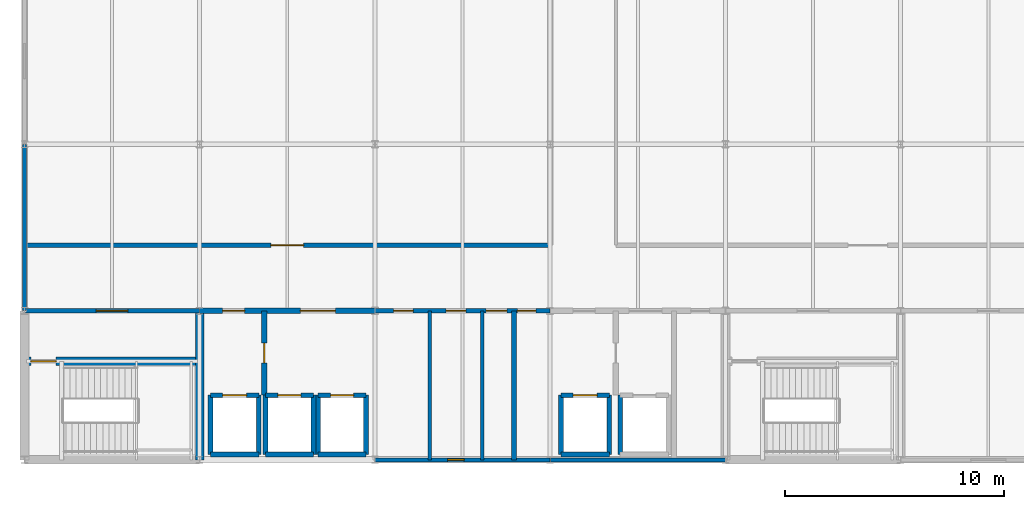
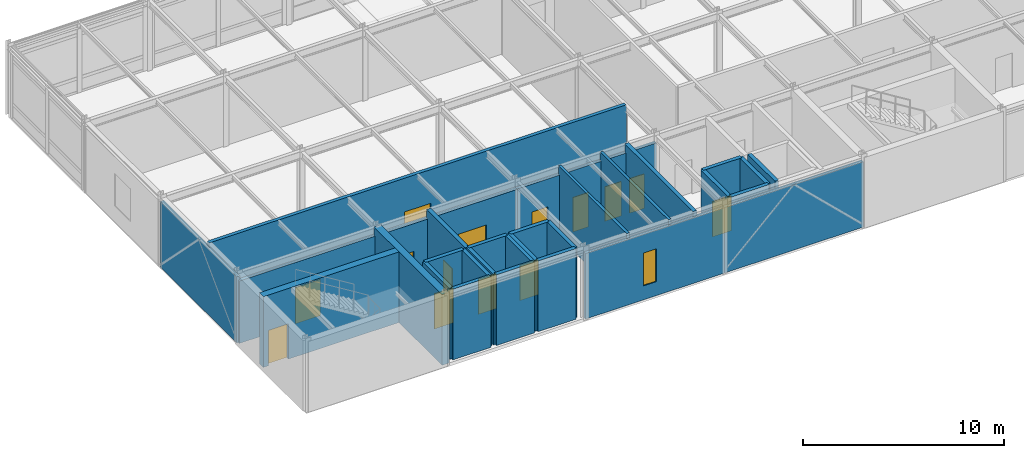
# One storey, part 9 of 12: 30 walls, 14 doors, 1 window, 15 openings.
"""IFC4 building model written with IfcOpenShell, lengths in metres."""

from ifc_helpers import new_model, si_unit, direction, frame, frame_2d, origin, place, context, subcontext, project, spatial, rectangle, extrude, material, layer, layer_set, type_object, element, fill, save


model = new_model("IFC4")

# Units and contexts
model_context = context("Model", 3, precision=1e-05, world=origin(), true_north=direction((0.0, 1.0)))
body_context = subcontext(model_context, "Body", "Model", "MODEL_VIEW")
ifc_project = project(units=[si_unit("LENGTHUNIT", "METRE"), si_unit("AREAUNIT", "SQUARE_METRE"), si_unit("VOLUMEUNIT", "CUBIC_METRE"), si_unit("PLANEANGLEUNIT", "RADIAN"), si_unit("MASSUNIT", "GRAM", prefix="KILO")], contexts=[model_context])

# Site, building, storey
site_placement = place(None, origin())
site = spatial("IfcSite", under=ifc_project, at=site_placement, CompositionType="ELEMENT")
building_placement = place(site_placement, origin())
building = spatial("IfcBuilding", under=site, at=building_placement, Name="Shalkamar Park Central Library", CompositionType="ELEMENT")
storey_placement = place(building_placement, frame((0.0, 0.0, 67.800048828125)))
storey = spatial("IfcBuildingStorey", under=building, at=storey_placement, Name="L17", CompositionType="ELEMENT", Elevation=67.800048828125)

# Wall, opening, door
ifc_material_1 = material(Name="Reinforced fire-compartment masonry wall", Category="masonry")
ifc_layer_1 = layer(ifc_material_1, 0.239990234375)
ifc_layer_set_1 = layer_set([ifc_layer_1], Name="CompartmentWall_240")
wall_type_1 = type_object("IfcWallType", Name="Compartment Wall 240", PredefinedType="PARTITIONING", material=ifc_layer_set_1)
wall_1_placement = place(storey_placement, frame((175.949951171875, 251.35009765625, 0.0), z_axis=(0.0, 0.0, 1.0), x_axis=(0.0, 1.0, 0.0)))
wall_1 = element("IfcWall", 1, at=wall_1_placement, inside=storey, type_object=wall_type_1, Name="Interior Partition WL-INT-L17-001", PredefinedType="PARTITIONING", context=body_context, shape_type="SweptSolid", body=[
    extrude(rectangle(XDim=3.849853515625, YDim=0.239990234375, at=frame_2d((1.9248046875, 0.0))), origin(), (0.0, 0.0, 1.0), 4.300048828125),
])
opening_1_placement = place(wall_1_placement, frame((1.47509765625, 0.0, 0.0)))
opening_1 = element("IfcOpeningElement", 2, at=opening_1_placement, cuts=wall_1, Name="Opening DR-L17-001", PredefinedType="OPENING", context=body_context, shape_type="SweptSolid", body=[
    extrude(rectangle(XDim=0.89990234375, YDim=2.10009765625, at=frame_2d((0.449951171875, 1.050048828125))), frame((0.0, 0.134765625, 0.0), z_axis=(0.0, -1.0, 0.0), x_axis=(1.0, 0.0, 0.0)), (0.0, 0.0, 1.0), 0.269775390625),
])
ifc_material_2 = material(Name="Steel S355", Category="steel")
door_type_1 = type_object("IfcDoorType", Name="Fire Door Single 900x2100", OperationType="NOTDEFINED", PredefinedType="DOOR", material=ifc_material_2)
door_1_placement = place(opening_1_placement, frame((0.89990234375, 0.0, 0.0), z_axis=(0.0, 0.0, 1.0), x_axis=(-1.0, 0.0, 0.0)))
door_1 = element("IfcDoor", 3, at=door_1_placement, inside=storey, type_object=door_type_1, Name="Fire Lobby Interconnect Door", OperationType="SINGLE_SWING_LEFT", OverallHeight=2.10009765625, OverallWidth=0.89990234375, PredefinedType="DOOR", context=body_context, shape_type="SweptSolid", body=[
    extrude(rectangle(XDim=0.89990234375, YDim=2.10009765625, at=frame_2d((0.449951171875, 1.050048828125))), frame((0.0, 0.02490234375, 0.0), z_axis=(0.0, -1.0, 0.0), x_axis=(1.0, 0.0, 0.0)), (0.0, 0.0, 1.0), 0.050048828125),
])
fill(opening_1, door_1)

# Wall, openings, doors
wall_2_placement = place(storey_placement, frame((173.0, 255.199951171875, 0.0), z_axis=(0.0, 0.0, 1.0), x_axis=(1.0, 0.0, 0.0)))
wall_2 = element("IfcWall", 4, at=wall_2_placement, inside=storey, type_object=wall_type_1, Name="Interior Partition WL-INT-L17-007", PredefinedType="PARTITIONING", context=body_context, shape_type="SweptSolid", body=[
    extrude(rectangle(XDim=8.0, YDim=0.239990234375, at=frame_2d((4.0, 0.0))), origin(), (0.0, 0.0, 1.0), 3.7978515625),
])
opening_2_placement = place(wall_2_placement, frame((1.050048828125, 0.0, 0.0)))
opening_2 = element("IfcOpeningElement", 5, at=opening_2_placement, cuts=wall_2, Name="Opening DR-L17-003", PredefinedType="OPENING", context=body_context, shape_type="SweptSolid", body=[
    extrude(rectangle(XDim=1.0, YDim=2.10009765625, at=frame_2d((0.5, 1.050048828125))), frame((0.0, 0.134765625, 0.0), z_axis=(0.0, -1.0, 0.0), x_axis=(1.0, 0.0, 0.0)), (0.0, 0.0, 1.0), 0.269775390625),
])
opening_3_placement = place(wall_2_placement, frame((4.60009765625, 0.0, 0.0)))
opening_3 = element("IfcOpeningElement", 6, at=opening_3_placement, cuts=wall_2, Name="Opening DR-L17-004", PredefinedType="OPENING", context=body_context, shape_type="SweptSolid", body=[
    extrude(rectangle(XDim=1.60009765625, YDim=2.25, at=frame_2d((0.800048828125, 1.125))), frame((0.0, 0.134765625, 0.0), z_axis=(0.0, -1.0, 0.0), x_axis=(1.0, 0.0, 0.0)), (0.0, 0.0, 1.0), 0.269775390625),
])
door_type_2 = type_object("IfcDoorType", Name="Fire Door Single 1000x2100", OperationType="NOTDEFINED", PredefinedType="DOOR", material=ifc_material_2)
door_2_placement = place(opening_2_placement, frame((1.0, 0.0, 0.0), z_axis=(0.0, 0.0, 1.0), x_axis=(-1.0, 0.0, 0.0)))
door_2 = element("IfcDoor", 7, at=door_2_placement, inside=storey, type_object=door_type_2, Name="West Firefighting Lobby Door", OperationType="SINGLE_SWING_RIGHT", OverallHeight=2.10009765625, OverallWidth=1.0, PredefinedType="DOOR", context=body_context, shape_type="SweptSolid", body=[
    extrude(rectangle(XDim=1.0, YDim=2.10009765625, at=frame_2d((0.5, 1.050048828125))), frame((0.0, 0.02490234375, 0.0), z_axis=(0.0, -1.0, 0.0), x_axis=(1.0, 0.0, 0.0)), (0.0, 0.0, 1.0), 0.050048828125),
])
fill(opening_2, door_2)
door_type_3 = type_object("IfcDoorType", Name="Interior Door Double 1600x2250", OperationType="DOUBLE_DOOR_SINGLE_SWING", PredefinedType="DOOR", material=ifc_material_2)
door_3_placement = place(opening_3_placement, origin())
door_3 = element("IfcDoor", 8, at=door_3_placement, inside=storey, type_object=door_type_3, Name="West Lift Lobby Entrance", OperationType="DOUBLE_DOOR_SINGLE_SWING", OverallHeight=2.25, OverallWidth=1.60009765625, PredefinedType="DOOR", context=body_context, shape_type="SweptSolid", body=[
    extrude(rectangle(XDim=1.60009765625, YDim=2.25, at=frame_2d((0.800048828125, 1.125))), frame((0.0, 0.02490234375, 0.0), z_axis=(0.0, -1.0, 0.0), x_axis=(1.0, 0.0, 0.0)), (0.0, 0.0, 1.0), 0.050048828125),
])
fill(opening_3, door_3)

# Wall, opening, door
ifc_material_3 = material(Name="Fire-rated corridor partition wall", Category="masonry")
ifc_layer_2 = layer(ifc_material_3, 0.199951171875)
ifc_layer_set_2 = layer_set([ifc_layer_2], Name="CorridorFireWall_200")
wall_type_2 = type_object("IfcWallType", Name="Corridor Fire Wall 200", PredefinedType="PARTITIONING", material=ifc_layer_set_2)
wall_3_placement = place(storey_placement, frame((165.0, 255.199951171875, 0.0), z_axis=(0.0, 0.0, 1.0), x_axis=(1.0, 0.0, 0.0)))
wall_3 = element("IfcWall", 9, at=wall_3_placement, inside=storey, type_object=wall_type_2, Name="CORE-T1 Vestibule North Wall (L17)", PredefinedType="PARTITIONING", context=body_context, shape_type="SweptSolid", body=[
    extrude(rectangle(XDim=8.0, YDim=0.199951171875, at=frame_2d((4.0, 0.0))), origin(), (0.0, 0.0, 1.0), 3.7978515625),
])
opening_4_placement = place(wall_3_placement, frame((3.27490234375, 0.0, 0.0)))
opening_4 = element("IfcOpeningElement", 10, at=opening_4_placement, cuts=wall_3, Name="Opening DR-ST-T1-L17-VEST", PredefinedType="OPENING", context=body_context, shape_type="SweptSolid", body=[
    extrude(rectangle(XDim=1.449951171875, YDim=2.199951171875, at=frame_2d((0.72509765625, 1.10009765625))), frame((0.0, 0.11474609375, 0.0), z_axis=(0.0, -1.0, 0.0), x_axis=(1.0, 0.0, 0.0)), (0.0, 0.0, 1.0), 0.229736328125),
])
door_type_4 = type_object("IfcDoorType", Name="Stair Vestibule Door 1450x2200", OperationType="DOUBLE_DOOR_SINGLE_SWING", PredefinedType="DOOR", material=ifc_material_2)
door_4_placement = place(opening_4_placement, frame((1.449951171875, 0.0, 0.0), z_axis=(0.0, 0.0, 1.0), x_axis=(-1.0, 0.0, 0.0)))
door_4 = element("IfcDoor", 11, at=door_4_placement, inside=storey, type_object=door_type_4, Name="Protected Stair ST-T1 Vestibule Door (L17)", OperationType="DOUBLE_DOOR_SINGLE_SWING", OverallHeight=2.199951171875, OverallWidth=1.449951171875, PredefinedType="DOOR", context=body_context, shape_type="SweptSolid", body=[
    extrude(rectangle(XDim=1.449951171875, YDim=2.199951171875, at=frame_2d((0.72509765625, 1.10009765625))), frame((0.0, 0.02490234375, 0.0), z_axis=(0.0, -1.0, 0.0), x_axis=(1.0, 0.0, 0.0)), (0.0, 0.0, 1.0), 0.050048828125),
])
fill(opening_4, door_4)

# Wall, openings, doors
wall_4_placement = place(storey_placement, frame((181.0, 255.199951171875, 0.0), z_axis=(0.0, 0.0, 1.0), x_axis=(1.0, 0.0, 0.0)))
wall_4 = element("IfcWall", 12, at=wall_4_placement, inside=storey, type_object=wall_type_2, Name="Interior Partition WL-INT-L17-008", PredefinedType="PARTITIONING", context=body_context, shape_type="SweptSolid", body=[
    extrude(rectangle(XDim=8.0, YDim=0.199951171875, at=frame_2d((4.0, 0.0))), origin(), (0.0, 0.0, 1.0), 3.7978515625),
])
opening_5_placement = place(wall_4_placement, frame((0.85009765625, 0.0, 0.0)))
opening_5 = element("IfcOpeningElement", 13, at=opening_5_placement, cuts=wall_4, Name="Opening DR-L17-005", PredefinedType="OPENING", context=body_context, shape_type="SweptSolid", body=[
    extrude(rectangle(XDim=0.89990234375, YDim=2.10009765625, at=frame_2d((0.449951171875, 1.050048828125))), frame((0.0, 0.11474609375, 0.0), z_axis=(0.0, -1.0, 0.0), x_axis=(1.0, 0.0, 0.0)), (0.0, 0.0, 1.0), 0.229736328125),
])
opening_6_placement = place(wall_4_placement, frame((3.25, 0.0, 0.0)))
opening_6 = element("IfcOpeningElement", 14, at=opening_6_placement, cuts=wall_4, Name="Opening DR-L17-006", PredefinedType="OPENING", context=body_context, shape_type="SweptSolid", body=[
    extrude(rectangle(XDim=0.89990234375, YDim=2.10009765625, at=frame_2d((0.449951171875, 1.050048828125))), frame((0.0, 0.11474609375, 0.0), z_axis=(0.0, -1.0, 0.0), x_axis=(1.0, 0.0, 0.0)), (0.0, 0.0, 1.0), 0.229736328125),
])
opening_7_placement = place(wall_4_placement, frame((5.074951171875, 0.0, 0.0)))
opening_7 = element("IfcOpeningElement", 15, at=opening_7_placement, cuts=wall_4, Name="Opening DR-L17-007", PredefinedType="OPENING", context=body_context, shape_type="SweptSolid", body=[
    extrude(rectangle(XDim=0.949951171875, YDim=2.10009765625, at=frame_2d((0.47509765625, 1.050048828125))), frame((0.0, 0.11474609375, 0.0), z_axis=(0.0, -1.0, 0.0), x_axis=(1.0, 0.0, 0.0)), (0.0, 0.0, 1.0), 0.229736328125),
])
opening_8_placement = place(wall_4_placement, frame((6.5, 0.0, 0.0)))
opening_8 = element("IfcOpeningElement", 16, at=opening_8_placement, cuts=wall_4, Name="Opening DR-L17-008", PredefinedType="OPENING", context=body_context, shape_type="SweptSolid", body=[
    extrude(rectangle(XDim=0.85009765625, YDim=2.10009765625, at=frame_2d((0.425048828125, 1.050048828125))), frame((0.0, 0.11474609375, 0.0), z_axis=(0.0, -1.0, 0.0), x_axis=(1.0, 0.0, 0.0)), (0.0, 0.0, 1.0), 0.229736328125),
])
door_type_5 = type_object("IfcDoorType", Name="Fire Door Riser 850x2100", OperationType="NOTDEFINED", PredefinedType="DOOR", material=ifc_material_2)
door_5_placement = place(opening_8_placement, frame((0.85009765625, 0.0, 0.0), z_axis=(0.0, 0.0, 1.0), x_axis=(-1.0, 0.0, 0.0)))
door_5 = element("IfcDoor", 17, at=door_5_placement, inside=storey, type_object=door_type_5, Name="Electrical Riser Access Door", OperationType="SINGLE_SWING_LEFT", OverallHeight=2.10009765625, OverallWidth=0.85009765625, PredefinedType="DOOR", context=body_context, shape_type="SweptSolid", body=[
    extrude(rectangle(XDim=0.85009765625, YDim=2.10009765625, at=frame_2d((0.425048828125, 1.050048828125))), frame((0.0, 0.02490234375, 0.0), z_axis=(0.0, -1.0, 0.0), x_axis=(1.0, 0.0, 0.0)), (0.0, 0.0, 1.0), 0.050048828125),
])
fill(opening_8, door_5)
door_type_6 = type_object("IfcDoorType", Name="Interior Door Single 900x2100", OperationType="NOTDEFINED", PredefinedType="DOOR", material=ifc_material_2)
door_6_placement = place(opening_5_placement, frame((0.89990234375, 0.0, 0.0), z_axis=(0.0, 0.0, 1.0), x_axis=(-1.0, 0.0, 0.0)))
door_6 = element("IfcDoor", 18, at=door_6_placement, inside=storey, type_object=door_type_6, Name="Male WC Door", OperationType="SINGLE_SWING_RIGHT", OverallHeight=2.10009765625, OverallWidth=0.89990234375, PredefinedType="DOOR", context=body_context, shape_type="SweptSolid", body=[
    extrude(rectangle(XDim=0.89990234375, YDim=2.10009765625, at=frame_2d((0.449951171875, 1.050048828125))), frame((0.0, 0.02490234375, 0.0), z_axis=(0.0, -1.0, 0.0), x_axis=(1.0, 0.0, 0.0)), (0.0, 0.0, 1.0), 0.050048828125),
])
fill(opening_5, door_6)
door_7_placement = place(opening_6_placement, frame((0.89990234375, 0.0, 0.0), z_axis=(0.0, 0.0, 1.0), x_axis=(-1.0, 0.0, 0.0)))
door_7 = element("IfcDoor", 19, at=door_7_placement, inside=storey, type_object=door_type_6, Name="Female WC Door", OperationType="SINGLE_SWING_RIGHT", OverallHeight=2.10009765625, OverallWidth=0.89990234375, PredefinedType="DOOR", context=body_context, shape_type="SweptSolid", body=[
    extrude(rectangle(XDim=0.89990234375, YDim=2.10009765625, at=frame_2d((0.449951171875, 1.050048828125))), frame((0.0, 0.02490234375, 0.0), z_axis=(0.0, -1.0, 0.0), x_axis=(1.0, 0.0, 0.0)), (0.0, 0.0, 1.0), 0.050048828125),
])
fill(opening_6, door_7)
door_type_7 = type_object("IfcDoorType", Name="Interior Door Single 950x2100", OperationType="NOTDEFINED", PredefinedType="DOOR", material=ifc_material_2)
door_8_placement = place(opening_7_placement, frame((0.949951171875, 0.0, 0.0), z_axis=(0.0, 0.0, 1.0), x_axis=(-1.0, 0.0, 0.0)))
door_8 = element("IfcDoor", 20, at=door_8_placement, inside=storey, type_object=door_type_7, Name="Universal Accessible WC Door", OperationType="SINGLE_SWING_LEFT", OverallHeight=2.10009765625, OverallWidth=0.949951171875, PredefinedType="DOOR", context=body_context, shape_type="SweptSolid", body=[
    extrude(rectangle(XDim=0.949951171875, YDim=2.10009765625, at=frame_2d((0.47509765625, 1.050048828125))), frame((0.0, 0.02490234375, 0.0), z_axis=(0.0, -1.0, 0.0), x_axis=(1.0, 0.0, 0.0)), (0.0, 0.0, 1.0), 0.050048828125),
])
fill(opening_7, door_8)

# Wall, opening, door
wall_5_placement = place(storey_placement, frame((165.0, 258.199951171875, 0.0), z_axis=(0.0, 0.0, 1.0), x_axis=(1.0, 0.0, 0.0)))
wall_5 = element("IfcWall", 21, at=wall_5_placement, inside=storey, type_object=wall_type_2, Name="Interior Partition WL-INT-L17-011", PredefinedType="PARTITIONING", context=body_context, shape_type="SweptSolid", body=[
    extrude(rectangle(XDim=24.0, YDim=0.199951171875, at=frame_2d((12.0, 0.0))), origin(), (0.0, 0.0, 1.0), 4.300048828125),
])
opening_9_placement = place(wall_5_placement, frame((11.25, 0.0, 0.0)))
opening_9 = element("IfcOpeningElement", 22, at=opening_9_placement, cuts=wall_5, Name="Opening DR-L17-013", PredefinedType="OPENING", context=body_context, shape_type="SweptSolid", body=[
    extrude(rectangle(XDim=1.5, YDim=2.25, at=frame_2d((0.75, 1.125))), frame((0.0, 0.11474609375, 0.0), z_axis=(0.0, -1.0, 0.0), x_axis=(1.0, 0.0, 0.0)), (0.0, 0.0, 1.0), 0.229736328125),
])
door_type_8 = type_object("IfcDoorType", Name="Fire Door Double 1500x2250", OperationType="DOUBLE_DOOR_SINGLE_SWING", PredefinedType="DOOR", material=ifc_material_2)
door_9_placement = place(opening_9_placement, origin())
door_9 = element("IfcDoor", 23, at=door_9_placement, inside=storey, type_object=door_type_8, Name="L17 Special Stacks Door", OperationType="DOUBLE_DOOR_SINGLE_SWING", OverallHeight=2.25, OverallWidth=1.5, PredefinedType="DOOR", context=body_context, shape_type="SweptSolid", body=[
    extrude(rectangle(XDim=1.5, YDim=2.25, at=frame_2d((0.75, 1.125))), frame((0.0, 0.02490234375, 0.0), z_axis=(0.0, -1.0, 0.0), x_axis=(1.0, 0.0, 0.0)), (0.0, 0.0, 1.0), 0.050048828125),
])
fill(opening_9, door_9)

# Walls
ifc_material_4 = material(Name="Concrete C40/50", Category="concrete")
ifc_layer_3 = layer(ifc_material_4, 0.219970703125)
ifc_layer_set_3 = layer_set([ifc_layer_3], Name="Concrete C40/50")
wall_type_3 = type_object("IfcWallType", Name="Lift Hoistway Shear Wall 220", PredefinedType="SHEAR", material=ifc_layer_set_3)
wall_6_placement = place(storey_placement, frame((173.5, 248.64990234375, 0.0), z_axis=(0.0, 0.0, 1.0), x_axis=(1.0, 0.0, 0.0)))
element("IfcWall", 24, at=wall_6_placement, inside=storey, type_object=wall_type_3, Name="Lift FFL-01 Hoistway South Wall (L17)", PredefinedType="SHEAR", context=body_context, shape_type="SweptSolid", body=[
    extrude(rectangle(XDim=2.199951171875, YDim=0.219970703125, at=frame_2d((1.10009765625, 0.0))), origin(), (0.0, 0.0, 1.0), 4.300048828125),
])
for number, where, z_axis, x_axis, name in (
    (25, (173.5, 248.64990234375, 0.0), (0.0, 0.0, 1.0), (0.0, 1.0, 0.0), "Lift FFL-01 Hoistway West Wall (L17)"),
    (26, (175.699951171875, 248.64990234375, 0.0), (0.0, 0.0, 1.0), (0.0, 1.0, 0.0), "Lift FFL-01 Hoistway East Wall (L17)"),
):
    element("IfcWall", number, at=place(storey_placement, frame(where, z_axis=z_axis, x_axis=x_axis)), inside=storey, type_object=wall_type_3, Name=name, PredefinedType="SHEAR", context=body_context, shape_type="SweptSolid", body=[
        extrude(rectangle(XDim=2.7001953125, YDim=0.219970703125, at=frame_2d((1.35009765625, 0.0))), origin(), (0.0, 0.0, 1.0), 4.300048828125),
    ])

# Wall, opening, door
wall_7_placement = place(storey_placement, frame((173.5, 251.35009765625, 0.0), z_axis=(0.0, 0.0, 1.0), x_axis=(1.0, 0.0, 0.0)))
wall_7 = element("IfcWall", 27, at=wall_7_placement, inside=storey, type_object=wall_type_3, Name="Lift FFL-01 Hoistway Front Wall (L17)", PredefinedType="SHEAR", context=body_context, shape_type="SweptSolid", body=[
    extrude(rectangle(XDim=2.199951171875, YDim=0.219970703125, at=frame_2d((1.10009765625, 0.0))), origin(), (0.0, 0.0, 1.0), 4.300048828125),
])
opening_10_placement = place(wall_7_placement, frame((0.550048828125, 0.0, 0.0)))
opening_10 = element("IfcOpeningElement", 28, at=opening_10_placement, cuts=wall_7, Name="Opening LD-FFL-01-L17", PredefinedType="OPENING", context=body_context, shape_type="SweptSolid", body=[
    extrude(rectangle(XDim=1.10009765625, YDim=2.14990234375, at=frame_2d((0.550048828125, 1.074951171875))), frame((0.0, 0.125, 0.0), z_axis=(0.0, -1.0, 0.0), x_axis=(1.0, 0.0, 0.0)), (0.0, 0.0, 1.0), 0.249755859375),
])
door_type_9 = type_object("IfcDoorType", Name="Fire Lift Landing Door 1100x2150", OperationType="DOUBLE_DOOR_SLIDING", PredefinedType="USERDEFINED", material=ifc_material_2)
door_10_placement = place(opening_10_placement, origin())
door_10 = element("IfcDoor", 29, at=door_10_placement, inside=storey, type_object=door_type_9, Name="Lift FFL-01 Sliding Landing Door (L17)", ObjectType="SLIDING LANDING DOOR", OperationType="DOUBLE_DOOR_SLIDING", OverallHeight=2.14990234375, OverallWidth=1.10009765625, PredefinedType="USERDEFINED", context=body_context, shape_type="SweptSolid", body=[
    extrude(rectangle(XDim=1.10009765625, YDim=2.14990234375, at=frame_2d((0.550048828125, 1.074951171875))), frame((0.0, 0.02490234375, 0.0), z_axis=(0.0, -1.0, 0.0), x_axis=(1.0, 0.0, 0.0)), (0.0, 0.0, 1.0), 0.050048828125),
])
fill(opening_10, door_10)

# Walls
wall_8_placement = place(storey_placement, frame((176.0, 248.64990234375, 0.0), z_axis=(0.0, 0.0, 1.0), x_axis=(1.0, 0.0, 0.0)))
element("IfcWall", 30, at=wall_8_placement, inside=storey, type_object=wall_type_3, Name="Lift LT-01 Hoistway South Wall (L17)", PredefinedType="SHEAR", context=body_context, shape_type="SweptSolid", body=[
    extrude(rectangle(XDim=2.199951171875, YDim=0.219970703125, at=frame_2d((1.10009765625, 0.0))), origin(), (0.0, 0.0, 1.0), 4.300048828125),
])
for number, where, z_axis, x_axis, name in (
    (31, (176.0, 248.64990234375, 0.0), (0.0, 0.0, 1.0), (0.0, 1.0, 0.0), "Lift LT-01 Hoistway West Wall (L17)"),
    (32, (178.199951171875, 248.64990234375, 0.0), (0.0, 0.0, 1.0), (0.0, 1.0, 0.0), "Lift LT-01 Hoistway East Wall (L17)"),
):
    element("IfcWall", number, at=place(storey_placement, frame(where, z_axis=z_axis, x_axis=x_axis)), inside=storey, type_object=wall_type_3, Name=name, PredefinedType="SHEAR", context=body_context, shape_type="SweptSolid", body=[
        extrude(rectangle(XDim=2.7001953125, YDim=0.219970703125, at=frame_2d((1.35009765625, 0.0))), origin(), (0.0, 0.0, 1.0), 4.300048828125),
    ])

# Wall, opening, door
wall_9_placement = place(storey_placement, frame((176.0, 251.35009765625, 0.0), z_axis=(0.0, 0.0, 1.0), x_axis=(1.0, 0.0, 0.0)))
wall_9 = element("IfcWall", 33, at=wall_9_placement, inside=storey, type_object=wall_type_3, Name="Lift LT-01 Hoistway Front Wall (L17)", PredefinedType="SHEAR", context=body_context, shape_type="SweptSolid", body=[
    extrude(rectangle(XDim=2.199951171875, YDim=0.219970703125, at=frame_2d((1.10009765625, 0.0))), origin(), (0.0, 0.0, 1.0), 4.300048828125),
])
opening_11_placement = place(wall_9_placement, frame((0.574951171875, 0.0, 0.0)))
opening_11 = element("IfcOpeningElement", 34, at=opening_11_placement, cuts=wall_9, Name="Opening LD-LT-01-L17", PredefinedType="OPENING", context=body_context, shape_type="SweptSolid", body=[
    extrude(rectangle(XDim=1.050048828125, YDim=2.14990234375, at=frame_2d((0.52490234375, 1.074951171875))), frame((0.0, 0.125, 0.0), z_axis=(0.0, -1.0, 0.0), x_axis=(1.0, 0.0, 0.0)), (0.0, 0.0, 1.0), 0.249755859375),
])
door_type_10 = type_object("IfcDoorType", Name="Passenger Lift Landing Door 1050x2150", OperationType="DOUBLE_DOOR_SLIDING", PredefinedType="USERDEFINED", material=ifc_material_2)
door_11_placement = place(opening_11_placement, origin())
door_11 = element("IfcDoor", 35, at=door_11_placement, inside=storey, type_object=door_type_10, Name="Lift LT-01 Sliding Landing Door (L17)", ObjectType="SLIDING LANDING DOOR", OperationType="DOUBLE_DOOR_SLIDING", OverallHeight=2.14990234375, OverallWidth=1.050048828125, PredefinedType="USERDEFINED", context=body_context, shape_type="SweptSolid", body=[
    extrude(rectangle(XDim=1.050048828125, YDim=2.14990234375, at=frame_2d((0.52490234375, 1.074951171875))), frame((0.0, 0.02490234375, 0.0), z_axis=(0.0, -1.0, 0.0), x_axis=(1.0, 0.0, 0.0)), (0.0, 0.0, 1.0), 0.050048828125),
])
fill(opening_11, door_11)

# Walls
wall_10_placement = place(storey_placement, frame((178.39990234375, 248.64990234375, 0.0), z_axis=(0.0, 0.0, 1.0), x_axis=(1.0, 0.0, 0.0)))
element("IfcWall", 36, at=wall_10_placement, inside=storey, type_object=wall_type_3, Name="Lift LT-02 Hoistway South Wall (L17)", PredefinedType="SHEAR", context=body_context, shape_type="SweptSolid", body=[
    extrude(rectangle(XDim=2.2001953125, YDim=0.219970703125, at=frame_2d((1.10009765625, 0.0))), origin(), (0.0, 0.0, 1.0), 4.300048828125),
])
for number, where, z_axis, x_axis, name in (
    (37, (178.39990234375, 248.64990234375, 0.0), (0.0, 0.0, 1.0), (0.0, 1.0, 0.0), "Lift LT-02 Hoistway West Wall (L17)"),
    (38, (180.60009765625, 248.64990234375, 0.0), (0.0, 0.0, 1.0), (0.0, 1.0, 0.0), "Lift LT-02 Hoistway East Wall (L17)"),
):
    element("IfcWall", number, at=place(storey_placement, frame(where, z_axis=z_axis, x_axis=x_axis)), inside=storey, type_object=wall_type_3, Name=name, PredefinedType="SHEAR", context=body_context, shape_type="SweptSolid", body=[
        extrude(rectangle(XDim=2.7001953125, YDim=0.219970703125, at=frame_2d((1.35009765625, 0.0))), origin(), (0.0, 0.0, 1.0), 4.300048828125),
    ])

# Wall, opening, door
wall_11_placement = place(storey_placement, frame((178.39990234375, 251.35009765625, 0.0), z_axis=(0.0, 0.0, 1.0), x_axis=(1.0, 0.0, 0.0)))
wall_11 = element("IfcWall", 39, at=wall_11_placement, inside=storey, type_object=wall_type_3, Name="Lift LT-02 Hoistway Front Wall (L17)", PredefinedType="SHEAR", context=body_context, shape_type="SweptSolid", body=[
    extrude(rectangle(XDim=2.2001953125, YDim=0.219970703125, at=frame_2d((1.10009765625, 0.0))), origin(), (0.0, 0.0, 1.0), 4.300048828125),
])
opening_12_placement = place(wall_11_placement, frame((0.574951171875, 0.0, 0.0)))
opening_12 = element("IfcOpeningElement", 40, at=opening_12_placement, cuts=wall_11, Name="Opening LD-LT-02-L17", PredefinedType="OPENING", context=body_context, shape_type="SweptSolid", body=[
    extrude(rectangle(XDim=1.050048828125, YDim=2.14990234375, at=frame_2d((0.52490234375, 1.074951171875))), frame((0.0, 0.125, 0.0), z_axis=(0.0, -1.0, 0.0), x_axis=(1.0, 0.0, 0.0)), (0.0, 0.0, 1.0), 0.249755859375),
])
door_12_placement = place(opening_12_placement, origin())
door_12 = element("IfcDoor", 41, at=door_12_placement, inside=storey, type_object=door_type_10, Name="Lift LT-02 Sliding Landing Door (L17)", ObjectType="SLIDING LANDING DOOR", OperationType="DOUBLE_DOOR_SLIDING", OverallHeight=2.14990234375, OverallWidth=1.050048828125, PredefinedType="USERDEFINED", context=body_context, shape_type="SweptSolid", body=[
    extrude(rectangle(XDim=1.050048828125, YDim=2.14990234375, at=frame_2d((0.52490234375, 1.074951171875))), frame((0.0, 0.02490234375, 0.0), z_axis=(0.0, -1.0, 0.0), x_axis=(1.0, 0.0, 0.0)), (0.0, 0.0, 1.0), 0.050048828125),
])
fill(opening_12, door_12)

# Walls
wall_12_placement = place(storey_placement, frame((189.5, 248.64990234375, 0.0), z_axis=(0.0, 0.0, 1.0), x_axis=(1.0, 0.0, 0.0)))
element("IfcWall", 42, at=wall_12_placement, inside=storey, type_object=wall_type_3, Name="Lift FFL-02 Hoistway South Wall (L17)", PredefinedType="SHEAR", context=body_context, shape_type="SweptSolid", body=[
    extrude(rectangle(XDim=2.199951171875, YDim=0.219970703125, at=frame_2d((1.10009765625, 0.0))), origin(), (0.0, 0.0, 1.0), 4.300048828125),
])
for number, where, z_axis, x_axis, name in (
    (43, (189.5, 248.64990234375, 0.0), (0.0, 0.0, 1.0), (0.0, 1.0, 0.0), "Lift FFL-02 Hoistway West Wall (L17)"),
    (44, (191.699951171875, 248.64990234375, 0.0), (0.0, 0.0, 1.0), (0.0, 1.0, 0.0), "Lift FFL-02 Hoistway East Wall (L17)"),
):
    element("IfcWall", number, at=place(storey_placement, frame(where, z_axis=z_axis, x_axis=x_axis)), inside=storey, type_object=wall_type_3, Name=name, PredefinedType="SHEAR", context=body_context, shape_type="SweptSolid", body=[
        extrude(rectangle(XDim=2.7001953125, YDim=0.219970703125, at=frame_2d((1.35009765625, 0.0))), origin(), (0.0, 0.0, 1.0), 4.300048828125),
    ])

# Wall, opening, door
wall_13_placement = place(storey_placement, frame((189.5, 251.35009765625, 0.0), z_axis=(0.0, 0.0, 1.0), x_axis=(1.0, 0.0, 0.0)))
wall_13 = element("IfcWall", 45, at=wall_13_placement, inside=storey, type_object=wall_type_3, Name="Lift FFL-02 Hoistway Front Wall (L17)", PredefinedType="SHEAR", context=body_context, shape_type="SweptSolid", body=[
    extrude(rectangle(XDim=2.199951171875, YDim=0.219970703125, at=frame_2d((1.10009765625, 0.0))), origin(), (0.0, 0.0, 1.0), 4.300048828125),
])
opening_13_placement = place(wall_13_placement, frame((0.550048828125, 0.0, 0.0)))
opening_13 = element("IfcOpeningElement", 46, at=opening_13_placement, cuts=wall_13, Name="Opening LD-FFL-02-L17", PredefinedType="OPENING", context=body_context, shape_type="SweptSolid", body=[
    extrude(rectangle(XDim=1.10009765625, YDim=2.14990234375, at=frame_2d((0.550048828125, 1.074951171875))), frame((0.0, 0.125, 0.0), z_axis=(0.0, -1.0, 0.0), x_axis=(1.0, 0.0, 0.0)), (0.0, 0.0, 1.0), 0.249755859375),
])
door_13_placement = place(opening_13_placement, origin())
door_13 = element("IfcDoor", 47, at=door_13_placement, inside=storey, type_object=door_type_9, Name="Lift FFL-02 Sliding Landing Door (L17)", ObjectType="SLIDING LANDING DOOR", OperationType="DOUBLE_DOOR_SLIDING", OverallHeight=2.14990234375, OverallWidth=1.10009765625, PredefinedType="USERDEFINED", context=body_context, shape_type="SweptSolid", body=[
    extrude(rectangle(XDim=1.10009765625, YDim=2.14990234375, at=frame_2d((0.550048828125, 1.074951171875))), frame((0.0, 0.02490234375, 0.0), z_axis=(0.0, -1.0, 0.0), x_axis=(1.0, 0.0, 0.0)), (0.0, 0.0, 1.0), 0.050048828125),
])
fill(opening_13, door_13)

# Walls
wall_14_placement = place(storey_placement, frame((192.199951171875, 248.64990234375, 0.0), z_axis=(0.0, 0.0, 1.0), x_axis=(0.0, 1.0, 0.0)))
element("IfcWall", 48, at=wall_14_placement, inside=storey, type_object=wall_type_3, Name="Lift LT-03 Hoistway West Wall (L17)", PredefinedType="SHEAR", context=body_context, shape_type="SweptSolid", body=[
    extrude(rectangle(XDim=2.7001953125, YDim=0.219970703125, at=frame_2d((1.35009765625, 0.0))), origin(), (0.0, 0.0, 1.0), 4.300048828125),
])
ifc_material_5 = material(Name="Moisture-resistant sanitary partition", Category="masonry")
ifc_layer_4 = layer(ifc_material_5, 0.159912109375)
ifc_layer_set_4 = layer_set([ifc_layer_4], Name="PlumbingChaseWall_160")
wall_type_4 = type_object("IfcWallType", Name="Plumbing Chase Wall 160", PredefinedType="PARTITIONING", material=ifc_layer_set_4)
for number, where, z_axis, x_axis, name in (
    (49, (183.5, 248.39990234375, 0.0), (0.0, 0.0, 1.0), (0.0, 1.0, 0.0), "Interior Partition WL-INT-L17-004"),
    (50, (185.89990234375, 248.39990234375, 0.0), (0.0, 0.0, 1.0), (0.0, 1.0, 0.0), "Interior Partition WL-INT-L17-005"),
):
    element("IfcWall", number, at=place(storey_placement, frame(where, z_axis=z_axis, x_axis=x_axis)), inside=storey, type_object=wall_type_4, Name=name, PredefinedType="PARTITIONING", context=body_context, shape_type="SweptSolid", body=[
        extrude(rectangle(XDim=6.800048828125, YDim=0.159912109375, at=frame_2d((3.39990234375, 0.0))), origin(), (0.0, 0.0, 1.0), 4.300048828125),
    ])
ifc_material_6 = material(Name="Fire-rated shaft enclosure wall", Category="masonry")
ifc_layer_5 = layer(ifc_material_6, 0.219970703125)
ifc_layer_set_5 = layer_set([ifc_layer_5], Name="ShaftWall_220")
wall_type_5 = type_object("IfcWallType", Name="Shaft Wall 220", PredefinedType="PARTITIONING", material=ifc_layer_set_5)
wall_15_placement = place(storey_placement, frame((187.35009765625, 248.39990234375, 0.0), z_axis=(0.0, 0.0, 1.0), x_axis=(0.0, 1.0, 0.0)))
element("IfcWall", 51, at=wall_15_placement, inside=storey, type_object=wall_type_5, Name="Interior Partition WL-INT-L17-006", PredefinedType="PARTITIONING", context=body_context, shape_type="SweptSolid", body=[
    extrude(rectangle(XDim=6.800048828125, YDim=0.219970703125, at=frame_2d((3.39990234375, 0.0))), origin(), (0.0, 0.0, 1.0), 4.300048828125),
])
ifc_layer_6 = layer(ifc_material_4, 0.39990234375)
ifc_layer_set_6 = layer_set([ifc_layer_6], Name="Concrete C40/50")
wall_type_6 = type_object("IfcWallType", Name="Tower Core Shear Wall 400", PredefinedType="SHEAR", material=ifc_layer_set_6)
wall_16_placement = place(storey_placement, frame((173.0, 248.39990234375, 0.0), z_axis=(0.0, 0.0, 1.0), x_axis=(0.0, 1.0, 0.0)))
element("IfcWall", 52, at=wall_16_placement, inside=storey, type_object=wall_type_6, Name="CORE-T1 East Shear Wall (L17)", PredefinedType="SHEAR", context=body_context, shape_type="SweptSolid", body=[
    extrude(rectangle(XDim=6.800048828125, YDim=0.39990234375, at=frame_2d((3.39990234375, 0.0))), origin(), (0.0, 0.0, 1.0), 4.300048828125),
])

# Wall, opening, door
wall_17_placement = place(storey_placement, frame((165.0, 252.89990234375, 0.0), z_axis=(0.0, 0.0, 1.0), x_axis=(1.0, 0.0, 0.0)))
wall_17 = element("IfcWall", 53, at=wall_17_placement, inside=storey, type_object=wall_type_6, Name="CORE-T1 Stairwell Wall (L17)", PredefinedType="SHEAR", context=body_context, shape_type="SweptSolid", body=[
    extrude(rectangle(XDim=8.0, YDim=0.39990234375, at=frame_2d((4.0, 0.0))), origin(), (0.0, 0.0, 1.0), 4.300048828125),
])
opening_14_placement = place(wall_17_placement, frame((0.300048828125, 0.0, 0.0)))
opening_14 = element("IfcOpeningElement", 54, at=opening_14_placement, cuts=wall_17, Name="Opening DR-ST-T1-L17-IN", PredefinedType="OPENING", context=body_context, shape_type="SweptSolid", body=[
    extrude(rectangle(XDim=1.14990234375, YDim=2.14990234375, at=frame_2d((0.574951171875, 1.074951171875))), frame((0.0, 0.21484375, 0.0), z_axis=(0.0, -1.0, 0.0), x_axis=(1.0, 0.0, 0.0)), (0.0, 0.0, 1.0), 0.4296875),
])
door_type_11 = type_object("IfcDoorType", Name="Stair Core Exit Door 1150x2150", OperationType="NOTDEFINED", PredefinedType="DOOR", material=ifc_material_2)
door_14_placement = place(opening_14_placement, frame((1.14990234375, 0.0, 0.0), z_axis=(0.0, 0.0, 1.0), x_axis=(-1.0, 0.0, 0.0)))
door_14 = element("IfcDoor", 55, at=door_14_placement, inside=storey, type_object=door_type_11, Name="Protected Stair ST-T1 Exit Door (L17)", OperationType="SINGLE_SWING_RIGHT", OverallHeight=2.14990234375, OverallWidth=1.14990234375, PredefinedType="DOOR", context=body_context, shape_type="SweptSolid", body=[
    extrude(rectangle(XDim=1.14990234375, YDim=2.14990234375, at=frame_2d((0.574951171875, 1.074951171875))), frame((0.0, 0.02490234375, 0.0), z_axis=(0.0, -1.0, 0.0), x_axis=(1.0, 0.0, 0.0)), (0.0, 0.0, 1.0), 0.050048828125),
])
fill(opening_14, door_14)

# Wall, opening, window
ifc_material_7 = material(Name="Terracotta insulated wall panel", Category="masonry")
ifc_layer_7 = layer(ifc_material_7, 0.179931640625)
ifc_layer_set_7 = layer_set([ifc_layer_7], Name="TowerSpandrelWall_180")
wall_type_7 = type_object("IfcWallType", Name="Tower Spandrel Wall 180", PredefinedType="SOLIDWALL", material=ifc_layer_set_7)
wall_18_placement = place(storey_placement, frame((181.006103515625, 248.39990234375, 0.0), z_axis=(0.0, 0.0, 1.0), x_axis=(1.0, 0.0, 0.0)))
wall_18 = element("IfcWall", 56, at=wall_18_placement, inside=storey, type_object=wall_type_7, Name="Exterior Facade Wall WL-EXT-L17-286", PredefinedType="SOLIDWALL", context=body_context, shape_type="SweptSolid", body=[
    extrude(rectangle(XDim=7.98779296875, YDim=0.179931640625, at=frame_2d((3.993896484375, 0.0))), origin(), (0.0, 0.0, 1.0), 3.988037109375),
])
opening_15_placement = place(wall_18_placement, frame((3.319091796875, 0.0, 0.85009765625)))
opening_15 = element("IfcOpeningElement", 57, at=opening_15_placement, cuts=wall_18, Name="Opening WN-18", PredefinedType="OPENING", context=body_context, shape_type="SweptSolid", body=[
    extrude(rectangle(XDim=0.75, YDim=2.0, at=frame_2d((0.375, 1.0))), frame((0.0, 0.10498046875, 0.0), z_axis=(0.0, -1.0, 0.0), x_axis=(1.0, 0.0, 0.0)), (0.0, 0.0, 1.0), 0.209716796875),
])
ifc_material_8 = material(Name="Thermally broken aluminium and triple low-e glass", Category="glass")
window_type = type_object("IfcWindowType", Name="Archive Slit Window 750x2000", PartitioningType="SINGLE_PANEL", PredefinedType="WINDOW", material=ifc_material_8)
window_placement = place(opening_15_placement, origin())
window = element("IfcWindow", 58, at=window_placement, inside=storey, type_object=window_type, Name="Facade Window WN-L17-211", OverallHeight=2.0, OverallWidth=0.75, PartitioningType="SINGLE_PANEL", PredefinedType="WINDOW", context=body_context, shape_type="SweptSolid", body=[
    extrude(rectangle(XDim=0.75, YDim=2.0, at=frame_2d((0.375, 1.0))), frame((0.0, 0.030029296875, 0.0), z_axis=(0.0, -1.0, 0.0), x_axis=(1.0, 0.0, 0.0)), (0.0, 0.0, 1.0), 0.06005859375),
])
fill(opening_15, window)

# Walls
wall_19_placement = place(storey_placement, frame((189.006103515625, 248.39990234375, 0.0), z_axis=(0.0, 0.0, 1.0), x_axis=(1.0, 0.0, 0.0)))
element("IfcWall", 59, at=wall_19_placement, inside=storey, type_object=wall_type_7, Name="Exterior Facade Wall WL-EXT-L17-287", PredefinedType="SOLIDWALL", context=body_context, shape_type="SweptSolid", body=[
    extrude(rectangle(XDim=7.98779296875, YDim=0.179931640625, at=frame_2d((3.993896484375, 0.0))), origin(), (0.0, 0.0, 1.0), 3.988037109375),
])
wall_20_placement = place(storey_placement, frame((165.0, 255.2060546875, 0.0), z_axis=(0.0, 0.0, 1.0), x_axis=(0.0, 1.0, 0.0)))
element("IfcWall", 60, at=wall_20_placement, inside=storey, type_object=wall_type_7, Name="Exterior Facade Wall WL-EXT-L17-289", PredefinedType="SOLIDWALL", context=body_context, shape_type="SweptSolid", body=[
    extrude(rectangle(XDim=7.587890625, YDim=0.179931640625, at=frame_2d((3.7939453125, 0.0))), origin(), (0.0, 0.0, 1.0), 4.02783203125),
])

save(model, "model.ifc")
